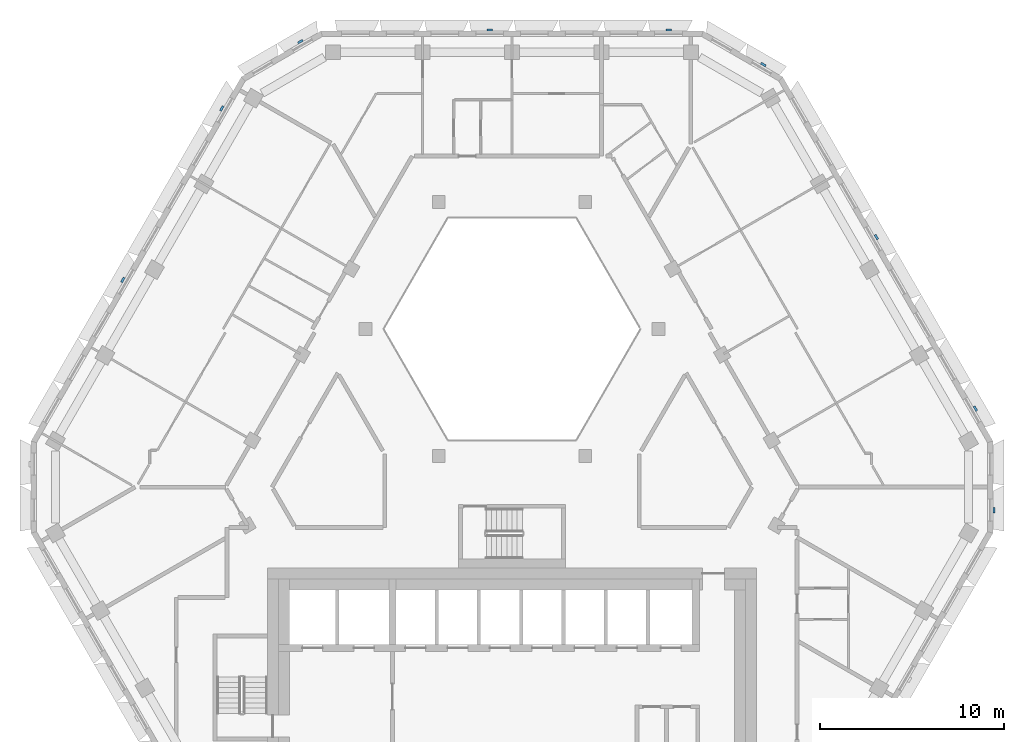
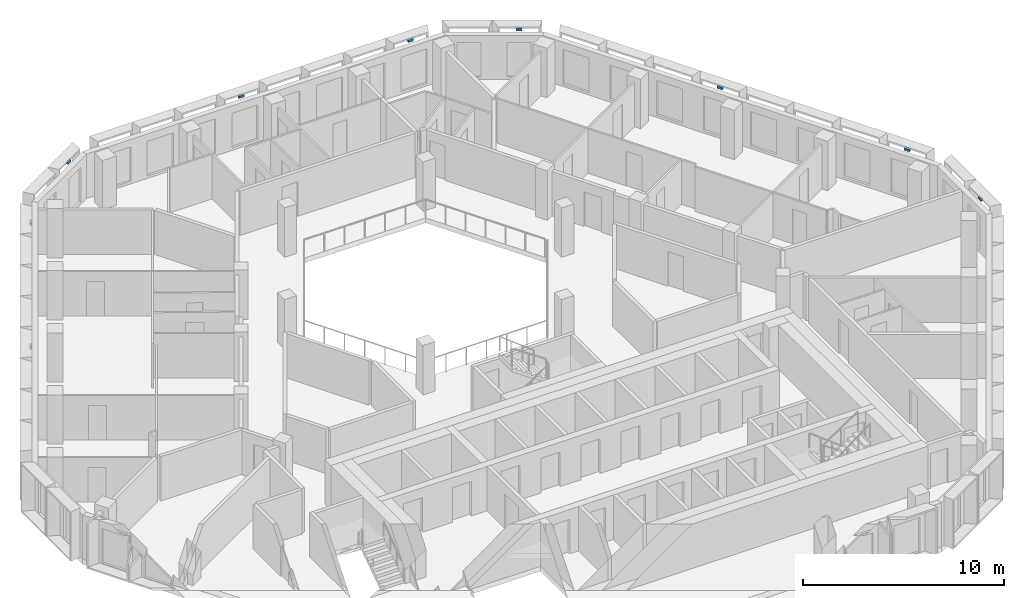
# One storey, part 10 of 17: 9 discrete accessories.
"""IFC4 building model written with IfcOpenShell, lengths in metres."""

from ifc_helpers import new_model, si_unit, direction, frame, origin, place, context, subcontext, project, spatial, polyline, outline, extrude, source, transform, mapped, material, type_object, type_shapes, element, save


model = new_model("IFC4")

# Units and contexts
model_context = context("Model", 3, precision=1e-05, world=origin(), true_north=direction((0.0, 1.0)))
body_context = subcontext(model_context, "Body", "Model", "MODEL_VIEW")
ifc_project = project(units=[si_unit("LENGTHUNIT", "METRE"), si_unit("AREAUNIT", "SQUARE_METRE"), si_unit("VOLUMEUNIT", "CUBIC_METRE"), si_unit("PLANEANGLEUNIT", "RADIAN"), si_unit("MASSUNIT", "GRAM", prefix="KILO")], contexts=[model_context])

# Site, building, storey
site_placement = place(None, origin())
site = spatial("IfcSite", under=ifc_project, at=site_placement, CompositionType="ELEMENT")
building_placement = place(site_placement, origin())
building = spatial("IfcBuilding", under=site, at=building_placement, Name="Beryl Residences", CompositionType="ELEMENT")
storey_placement = place(building_placement, frame((0.0, 0.0, 172.199951171875)))
storey = spatial("IfcBuildingStorey", under=building, at=storey_placement, Name="L52", CompositionType="ELEMENT", Elevation=172.199951171875)

# Discrete accessories
ifc_material = material(Name="Steel S355", Category="steel")
discrete_accessory_type = type_object("IfcDiscreteAccessoryType", Name="BR1 frame bracket 300 x 120 x 150 mm", PredefinedType="BRACKET", material=ifc_material)
shared_shape = source(origin(), body_context, "Body", "SweptSolid", [
    extrude(outline(polyline([(-0.14990234375, 0.0), (0.14990234375, 0.0), (0.14990234375, 0.1201171875), (-0.14990234375, 0.1201171875), (-0.14990234375, 0.0)])), origin(), (0.0, 0.0, 1.0), 0.14990234375),
])
type_shapes(discrete_accessory_type, [shared_shape])
for number, where, z_axis, x_axis, name in (
    (1, (8.511962890625, 24.199951171875, 2.75), (0.0, 0.0, 1.0), (1.0, 0.0, 0.0), "BR1 bracket L52 N 1"),
    (2, (-1.216064453125, 24.199951171875, 2.75), (0.0, 0.0, 1.0), (1.0, 0.0, 0.0), "BR1 bracket L52 N 5"),
    (3, (-11.47412109375, 23.574951171875, 2.75), (0.0, 0.0, 1.0), (0.866025403784, 0.5, 0.0), "BR1 bracket L52 N-NW 1"),
    (4, (-15.72705078125, 19.9599609375, 2.75), (0.0, 0.0, 1.0), (0.5, 0.866025403784, 0.0), "BR1 bracket L52 NW 1"),
    (5, (-21.111083984375, 10.634033203125, 2.75), (0.0, 0.0, 1.0), (0.5, 0.866025403784, 0.0), "BR1 bracket L52 NW 5"),
    (6, (26.154052734375, -1.85009765625, 2.75), (0.0, 0.0, 1.0), (0.0, -1.0, 0.0), "BR1 bracket L52 SE-NE 1"),
    (7, (25.14892578125, 3.639892578125, 2.75), (0.0, 0.0, 1.0), (0.5, -0.866025403784, 0.0), "BR1 bracket L52 NE 1"),
    (8, (19.764892578125, 12.966064453125, 2.75), (0.0, 0.0, 1.0), (0.5, -0.866025403784, 0.0), "BR1 bracket L52 NE 5"),
    (9, (13.638916015625, 22.324951171875, 2.75), (0.0, 0.0, 1.0), (0.866025403784, -0.5, 0.0), "BR1 bracket L52 NE-N 1"),
):
    element("IfcDiscreteAccessory", number, at=place(storey_placement, frame(where, z_axis=z_axis, x_axis=x_axis)), inside=storey, type_object=discrete_accessory_type, Name=name, PredefinedType="BRACKET", context=body_context, shape_type="MappedRepresentation", body=[
        mapped(shared_shape, transform((0.0, 0.0, 0.0))),
    ])

save(model, "model.ifc")
